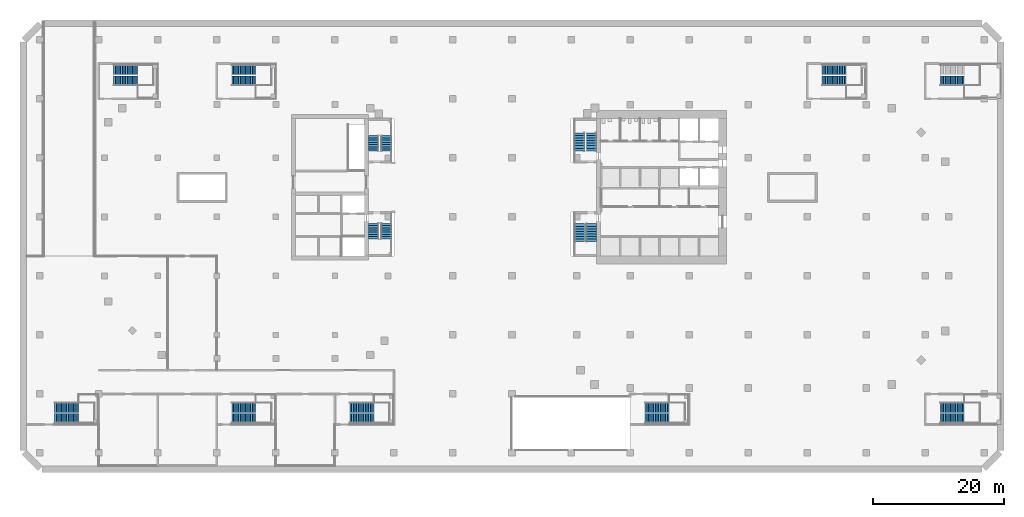
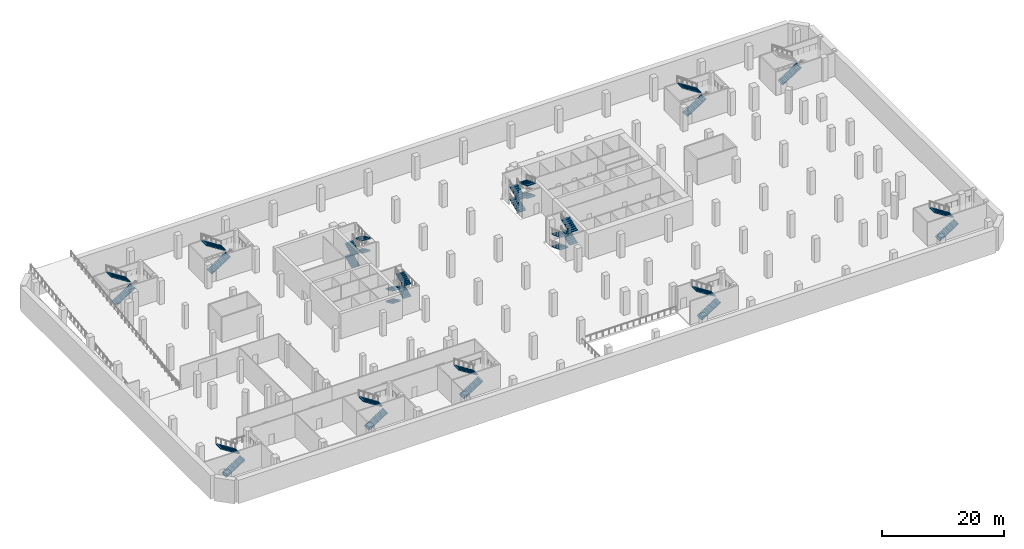
# One storey, part 11 of 19: 33 stair flights, 13 elements without a shape of their own.
"""IFC4 building model written with IfcOpenShell, lengths in metres."""

from ifc_helpers import new_model, si_unit, direction, frame, origin, place, context, subcontext, project, spatial, polyline, outline, extrude, material, type_object, element, aggregate, save


model = new_model("IFC4")

# Units and contexts
model_context = context("Model", 3, precision=1e-05, world=origin(), true_north=direction((0.0, 1.0)))
body_context = subcontext(model_context, "Body", "Model", "MODEL_VIEW")
ifc_project = project(units=[si_unit("LENGTHUNIT", "METRE"), si_unit("AREAUNIT", "SQUARE_METRE"), si_unit("VOLUMEUNIT", "CUBIC_METRE"), si_unit("PLANEANGLEUNIT", "RADIAN"), si_unit("MASSUNIT", "GRAM", prefix="KILO")], contexts=[model_context])

# Site, building, storey
site_placement = place(None, origin())
site = spatial("IfcSite", under=ifc_project, at=site_placement, CompositionType="ELEMENT")
building_placement = place(site_placement, origin())
building = spatial("IfcBuilding", under=site, at=building_placement, Name="Cinnabar Reach Civic Tower", CompositionType="ELEMENT")
storey_placement = place(building_placement, frame((0.0, 0.0, -5.0)))
storey = spatial("IfcBuildingStorey", under=building, at=storey_placement, Name="B1", CompositionType="ELEMENT", Elevation=-5.0)

# Stair, stair flights
ifc_material_1 = material(Name="Concrete C35", Category="concrete")
stair_type_1 = type_object("IfcStairType", Name="Podium exit stair 1500", PredefinedType="HALF_TURN_STAIR", material=ifc_material_1)
stair_1_placement = place(storey_placement, origin())
stair_1 = element("IfcStair", 1, at=stair_1_placement, inside=storey, type_object=stair_type_1, Name="Stair PS1", PredefinedType="HALF_TURN_STAIR")
stair_flight_type_1 = type_object("IfcStairFlightType", Name="Podium exit stair flight 1500", PredefinedType="STRAIGHT", material=ifc_material_1)
stair_flight_1_placement = place(storey_placement, frame((-78.71, -3.75, 0.0), z_axis=(0.0, 0.0, 1.0), x_axis=(1.0, 0.0, 0.0)))
stair_flight_1 = element("IfcStairFlight", 2, at=stair_flight_1_placement, type_object=stair_flight_type_1, Name="PS1 flight 1", NumberOfRisers=15, NumberOfTreads=14, PredefinedType="STRAIGHT", RiserHeight=0.166666667, TreadLength=0.26, context=body_context, shape_type="SweptSolid", body=[
    extrude(outline(polyline([(0.0, 0.0), (0.0, 0.1667), (0.26, 0.1667), (0.26, 0.3333), (0.52, 0.3333), (0.52, 0.5), (0.78, 0.5), (0.78, 0.6667), (1.04, 0.6667), (1.04, 0.8333), (1.3, 0.8333), (1.3, 1.0), (1.56, 1.0), (1.56, 1.1667), (1.82, 1.1667), (1.82, 1.3333), (2.08, 1.3333), (2.08, 1.5), (2.34, 1.5), (2.34, 1.6667), (2.6, 1.6667), (2.6, 1.8333), (2.86, 1.8333), (2.86, 2.0), (3.12, 2.0), (3.12, 2.1667), (3.38, 2.1667), (3.38, 2.3333), (3.64, 2.3333), (3.64, 2.5), (3.64, 2.1552), (0.2779, 0.0), (0.0, 0.0)])), frame((0.0, 0.75, 0.0), z_axis=(0.0, -1.0, 0.0), x_axis=(1.0, 0.0, 0.0)), (0.0, 0.0, 1.0), 1.5),
])
stair_flight_2_placement = place(storey_placement, frame((-75.07, -2.05, 2.5), z_axis=(0.0, 0.0, 1.0), x_axis=(-1.0, 0.0, 0.0)))
stair_flight_2 = element("IfcStairFlight", 3, at=stair_flight_2_placement, type_object=stair_flight_type_1, Name="PS1 flight 2", NumberOfRisers=15, NumberOfTreads=14, PredefinedType="STRAIGHT", RiserHeight=0.166666667, TreadLength=0.26, context=body_context, shape_type="SweptSolid", body=[
    extrude(outline(polyline([(0.0, 0.0), (0.0, 0.1667), (0.26, 0.1667), (0.26, 0.3333), (0.52, 0.3333), (0.52, 0.5), (0.78, 0.5), (0.78, 0.6667), (1.04, 0.6667), (1.04, 0.8333), (1.3, 0.8333), (1.3, 1.0), (1.56, 1.0), (1.56, 1.1667), (1.82, 1.1667), (1.82, 1.3333), (2.08, 1.3333), (2.08, 1.5), (2.34, 1.5), (2.34, 1.6667), (2.6, 1.6667), (2.6, 1.8333), (2.86, 1.8333), (2.86, 2.0), (3.12, 2.0), (3.12, 2.1667), (3.38, 2.1667), (3.38, 2.3333), (3.64, 2.3333), (3.64, 2.5), (3.64, 2.1552), (0.2779, 0.0), (0.0, 0.0)])), frame((0.0, 0.75, 0.0), z_axis=(0.0, -1.0, 0.0), x_axis=(1.0, 0.0, 0.0)), (0.0, 0.0, 1.0), 1.5),
])
aggregate(stair_1, [stair_flight_1, stair_flight_2])

stair_2_placement = place(storey_placement, origin())
stair_2 = element("IfcStair", 4, at=stair_2_placement, inside=storey, type_object=stair_type_1, Name="Stair PS2", PredefinedType="HALF_TURN_STAIR")
stair_flight_3_placement = place(storey_placement, frame((-69.71, 47.75, 0.0), z_axis=(0.0, 0.0, 1.0), x_axis=(1.0, 0.0, 0.0)))
stair_flight_3 = element("IfcStairFlight", 5, at=stair_flight_3_placement, type_object=stair_flight_type_1, Name="PS2 flight 1", NumberOfRisers=15, NumberOfTreads=14, PredefinedType="STRAIGHT", RiserHeight=0.166666667, TreadLength=0.26, context=body_context, shape_type="SweptSolid", body=[
    extrude(outline(polyline([(0.0, 0.0), (0.0, 0.1667), (0.26, 0.1667), (0.26, 0.3333), (0.52, 0.3333), (0.52, 0.5), (0.78, 0.5), (0.78, 0.6667), (1.04, 0.6667), (1.04, 0.8333), (1.3, 0.8333), (1.3, 1.0), (1.56, 1.0), (1.56, 1.1667), (1.82, 1.1667), (1.82, 1.3333), (2.08, 1.3333), (2.08, 1.5), (2.34, 1.5), (2.34, 1.6667), (2.6, 1.6667), (2.6, 1.8333), (2.86, 1.8333), (2.86, 2.0), (3.12, 2.0), (3.12, 2.1667), (3.38, 2.1667), (3.38, 2.3333), (3.64, 2.3333), (3.64, 2.5), (3.64, 2.1552), (0.2779, 0.0), (0.0, 0.0)])), frame((0.0, 0.75, 0.0), z_axis=(0.0, -1.0, 0.0), x_axis=(1.0, 0.0, 0.0)), (0.0, 0.0, 1.0), 1.5),
])
stair_flight_4_placement = place(storey_placement, frame((-66.07, 49.45, 2.5), z_axis=(0.0, 0.0, 1.0), x_axis=(-1.0, 0.0, 0.0)))
stair_flight_4 = element("IfcStairFlight", 6, at=stair_flight_4_placement, type_object=stair_flight_type_1, Name="PS2 flight 2", NumberOfRisers=15, NumberOfTreads=14, PredefinedType="STRAIGHT", RiserHeight=0.166666667, TreadLength=0.26, context=body_context, shape_type="SweptSolid", body=[
    extrude(outline(polyline([(0.0, 0.0), (0.0, 0.1667), (0.26, 0.1667), (0.26, 0.3333), (0.52, 0.3333), (0.52, 0.5), (0.78, 0.5), (0.78, 0.6667), (1.04, 0.6667), (1.04, 0.8333), (1.3, 0.8333), (1.3, 1.0), (1.56, 1.0), (1.56, 1.1667), (1.82, 1.1667), (1.82, 1.3333), (2.08, 1.3333), (2.08, 1.5), (2.34, 1.5), (2.34, 1.6667), (2.6, 1.6667), (2.6, 1.8333), (2.86, 1.8333), (2.86, 2.0), (3.12, 2.0), (3.12, 2.1667), (3.38, 2.1667), (3.38, 2.3333), (3.64, 2.3333), (3.64, 2.5), (3.64, 2.1552), (0.2779, 0.0), (0.0, 0.0)])), frame((0.0, 0.75, 0.0), z_axis=(0.0, -1.0, 0.0), x_axis=(1.0, 0.0, 0.0)), (0.0, 0.0, 1.0), 1.5),
])
aggregate(stair_2, [stair_flight_3, stair_flight_4])

stair_3_placement = place(storey_placement, origin())
stair_3 = element("IfcStair", 7, at=stair_3_placement, inside=storey, type_object=stair_type_1, Name="Stair PS3", PredefinedType="HALF_TURN_STAIR")
stair_flight_5_placement = place(storey_placement, frame((11.29, -3.75, 0.0), z_axis=(0.0, 0.0, 1.0), x_axis=(1.0, 0.0, 0.0)))
stair_flight_5 = element("IfcStairFlight", 8, at=stair_flight_5_placement, type_object=stair_flight_type_1, Name="PS3 flight 1", NumberOfRisers=15, NumberOfTreads=14, PredefinedType="STRAIGHT", RiserHeight=0.166666667, TreadLength=0.26, context=body_context, shape_type="SweptSolid", body=[
    extrude(outline(polyline([(0.0, 0.0), (0.0, 0.1667), (0.26, 0.1667), (0.26, 0.3333), (0.52, 0.3333), (0.52, 0.5), (0.78, 0.5), (0.78, 0.6667), (1.04, 0.6667), (1.04, 0.8333), (1.3, 0.8333), (1.3, 1.0), (1.56, 1.0), (1.56, 1.1667), (1.82, 1.1667), (1.82, 1.3333), (2.08, 1.3333), (2.08, 1.5), (2.34, 1.5), (2.34, 1.6667), (2.6, 1.6667), (2.6, 1.8333), (2.86, 1.8333), (2.86, 2.0), (3.12, 2.0), (3.12, 2.1667), (3.38, 2.1667), (3.38, 2.3333), (3.64, 2.3333), (3.64, 2.5), (3.64, 2.1552), (0.2779, 0.0), (0.0, 0.0)])), frame((0.0, 0.75, 0.0), z_axis=(0.0, -1.0, 0.0), x_axis=(1.0, 0.0, 0.0)), (0.0, 0.0, 1.0), 1.5),
])
stair_flight_6_placement = place(storey_placement, frame((14.93, -2.05, 2.5), z_axis=(0.0, 0.0, 1.0), x_axis=(-1.0, 0.0, 0.0)))
stair_flight_6 = element("IfcStairFlight", 9, at=stair_flight_6_placement, type_object=stair_flight_type_1, Name="PS3 flight 2", NumberOfRisers=15, NumberOfTreads=14, PredefinedType="STRAIGHT", RiserHeight=0.166666667, TreadLength=0.26, context=body_context, shape_type="SweptSolid", body=[
    extrude(outline(polyline([(0.0, 0.0), (0.0, 0.1667), (0.26, 0.1667), (0.26, 0.3333), (0.52, 0.3333), (0.52, 0.5), (0.78, 0.5), (0.78, 0.6667), (1.04, 0.6667), (1.04, 0.8333), (1.3, 0.8333), (1.3, 1.0), (1.56, 1.0), (1.56, 1.1667), (1.82, 1.1667), (1.82, 1.3333), (2.08, 1.3333), (2.08, 1.5), (2.34, 1.5), (2.34, 1.6667), (2.6, 1.6667), (2.6, 1.8333), (2.86, 1.8333), (2.86, 2.0), (3.12, 2.0), (3.12, 2.1667), (3.38, 2.1667), (3.38, 2.3333), (3.64, 2.3333), (3.64, 2.5), (3.64, 2.1552), (0.2779, 0.0), (0.0, 0.0)])), frame((0.0, 0.75, 0.0), z_axis=(0.0, -1.0, 0.0), x_axis=(1.0, 0.0, 0.0)), (0.0, 0.0, 1.0), 1.5),
])
aggregate(stair_3, [stair_flight_5, stair_flight_6])

stair_4_placement = place(storey_placement, origin())
stair_4 = element("IfcStair", 10, at=stair_4_placement, inside=storey, type_object=stair_type_1, Name="Stair PS4", PredefinedType="HALF_TURN_STAIR")
stair_flight_7_placement = place(storey_placement, frame((56.29, -3.75, 0.0), z_axis=(0.0, 0.0, 1.0), x_axis=(1.0, 0.0, 0.0)))
stair_flight_7 = element("IfcStairFlight", 11, at=stair_flight_7_placement, type_object=stair_flight_type_1, Name="PS4 flight 1", NumberOfRisers=15, NumberOfTreads=14, PredefinedType="STRAIGHT", RiserHeight=0.166666667, TreadLength=0.26, context=body_context, shape_type="SweptSolid", body=[
    extrude(outline(polyline([(0.0, 0.0), (0.0, 0.1667), (0.26, 0.1667), (0.26, 0.3333), (0.52, 0.3333), (0.52, 0.5), (0.78, 0.5), (0.78, 0.6667), (1.04, 0.6667), (1.04, 0.8333), (1.3, 0.8333), (1.3, 1.0), (1.56, 1.0), (1.56, 1.1667), (1.82, 1.1667), (1.82, 1.3333), (2.08, 1.3333), (2.08, 1.5), (2.34, 1.5), (2.34, 1.6667), (2.6, 1.6667), (2.6, 1.8333), (2.86, 1.8333), (2.86, 2.0), (3.12, 2.0), (3.12, 2.1667), (3.38, 2.1667), (3.38, 2.3333), (3.64, 2.3333), (3.64, 2.5), (3.64, 2.1552), (0.2779, 0.0), (0.0, 0.0)])), frame((0.0, 0.75, 0.0), z_axis=(0.0, -1.0, 0.0), x_axis=(1.0, 0.0, 0.0)), (0.0, 0.0, 1.0), 1.5),
])
stair_flight_8_placement = place(storey_placement, frame((59.93, -2.05, 2.5), z_axis=(0.0, 0.0, 1.0), x_axis=(-1.0, 0.0, 0.0)))
stair_flight_8 = element("IfcStairFlight", 12, at=stair_flight_8_placement, type_object=stair_flight_type_1, Name="PS4 flight 2", NumberOfRisers=15, NumberOfTreads=14, PredefinedType="STRAIGHT", RiserHeight=0.166666667, TreadLength=0.26, context=body_context, shape_type="SweptSolid", body=[
    extrude(outline(polyline([(0.0, 0.0), (0.0, 0.1667), (0.26, 0.1667), (0.26, 0.3333), (0.52, 0.3333), (0.52, 0.5), (0.78, 0.5), (0.78, 0.6667), (1.04, 0.6667), (1.04, 0.8333), (1.3, 0.8333), (1.3, 1.0), (1.56, 1.0), (1.56, 1.1667), (1.82, 1.1667), (1.82, 1.3333), (2.08, 1.3333), (2.08, 1.5), (2.34, 1.5), (2.34, 1.6667), (2.6, 1.6667), (2.6, 1.8333), (2.86, 1.8333), (2.86, 2.0), (3.12, 2.0), (3.12, 2.1667), (3.38, 2.1667), (3.38, 2.3333), (3.64, 2.3333), (3.64, 2.5), (3.64, 2.1552), (0.2779, 0.0), (0.0, 0.0)])), frame((0.0, 0.75, 0.0), z_axis=(0.0, -1.0, 0.0), x_axis=(1.0, 0.0, 0.0)), (0.0, 0.0, 1.0), 1.5),
])
aggregate(stair_4, [stair_flight_7, stair_flight_8])

# Stair, stair flight
stair_5_placement = place(storey_placement, origin())
stair_5 = element("IfcStair", 13, at=stair_5_placement, inside=storey, type_object=stair_type_1, Name="Stair PS5", PredefinedType="HALF_TURN_STAIR")
stair_flight_9_placement = place(storey_placement, frame((56.29, 47.75, 0.0), z_axis=(0.0, 0.0, 1.0), x_axis=(1.0, 0.0, 0.0)))
stair_flight_9 = element("IfcStairFlight", 14, at=stair_flight_9_placement, type_object=stair_flight_type_1, Name="PS5 flight 1", NumberOfRisers=15, NumberOfTreads=14, PredefinedType="STRAIGHT", RiserHeight=0.166666667, TreadLength=0.26, context=body_context, shape_type="SweptSolid", body=[
    extrude(outline(polyline([(0.0, 0.0), (0.0, 0.1667), (0.26, 0.1667), (0.26, 0.3333), (0.52, 0.3333), (0.52, 0.5), (0.78, 0.5), (0.78, 0.6667), (1.04, 0.6667), (1.04, 0.8333), (1.3, 0.8333), (1.3, 1.0), (1.56, 1.0), (1.56, 1.1667), (1.82, 1.1667), (1.82, 1.3333), (2.08, 1.3333), (2.08, 1.5), (2.34, 1.5), (2.34, 1.6667), (2.6, 1.6667), (2.6, 1.8333), (2.86, 1.8333), (2.86, 2.0), (3.12, 2.0), (3.12, 2.1667), (3.38, 2.1667), (3.38, 2.3333), (3.64, 2.3333), (3.64, 2.5), (3.64, 2.1552), (0.2779, 0.0), (0.0, 0.0)])), frame((0.0, 0.75, 0.0), z_axis=(0.0, -1.0, 0.0), x_axis=(1.0, 0.0, 0.0)), (0.0, 0.0, 1.0), 1.5),
])
aggregate(stair_5, [stair_flight_9])

# Stair, stair flights
stair_6_placement = place(storey_placement, origin())
stair_6 = element("IfcStair", 15, at=stair_6_placement, inside=storey, type_object=stair_type_1, Name="Stair PS6", PredefinedType="HALF_TURN_STAIR")
stair_flight_10_placement = place(storey_placement, frame((38.29, 47.75, 0.0), z_axis=(0.0, 0.0, 1.0), x_axis=(1.0, 0.0, 0.0)))
stair_flight_10 = element("IfcStairFlight", 16, at=stair_flight_10_placement, type_object=stair_flight_type_1, Name="PS6 flight 1", NumberOfRisers=15, NumberOfTreads=14, PredefinedType="STRAIGHT", RiserHeight=0.166666667, TreadLength=0.26, context=body_context, shape_type="SweptSolid", body=[
    extrude(outline(polyline([(0.0, 0.0), (0.0, 0.1667), (0.26, 0.1667), (0.26, 0.3333), (0.52, 0.3333), (0.52, 0.5), (0.78, 0.5), (0.78, 0.6667), (1.04, 0.6667), (1.04, 0.8333), (1.3, 0.8333), (1.3, 1.0), (1.56, 1.0), (1.56, 1.1667), (1.82, 1.1667), (1.82, 1.3333), (2.08, 1.3333), (2.08, 1.5), (2.34, 1.5), (2.34, 1.6667), (2.6, 1.6667), (2.6, 1.8333), (2.86, 1.8333), (2.86, 2.0), (3.12, 2.0), (3.12, 2.1667), (3.38, 2.1667), (3.38, 2.3333), (3.64, 2.3333), (3.64, 2.5), (3.64, 2.1552), (0.2779, 0.0), (0.0, 0.0)])), frame((0.0, 0.75, 0.0), z_axis=(0.0, -1.0, 0.0), x_axis=(1.0, 0.0, 0.0)), (0.0, 0.0, 1.0), 1.5),
])
stair_flight_11_placement = place(storey_placement, frame((41.93, 49.45, 2.5), z_axis=(0.0, 0.0, 1.0), x_axis=(-1.0, 0.0, 0.0)))
stair_flight_11 = element("IfcStairFlight", 17, at=stair_flight_11_placement, type_object=stair_flight_type_1, Name="PS6 flight 2", NumberOfRisers=15, NumberOfTreads=14, PredefinedType="STRAIGHT", RiserHeight=0.166666667, TreadLength=0.26, context=body_context, shape_type="SweptSolid", body=[
    extrude(outline(polyline([(0.0, 0.0), (0.0, 0.1667), (0.26, 0.1667), (0.26, 0.3333), (0.52, 0.3333), (0.52, 0.5), (0.78, 0.5), (0.78, 0.6667), (1.04, 0.6667), (1.04, 0.8333), (1.3, 0.8333), (1.3, 1.0), (1.56, 1.0), (1.56, 1.1667), (1.82, 1.1667), (1.82, 1.3333), (2.08, 1.3333), (2.08, 1.5), (2.34, 1.5), (2.34, 1.6667), (2.6, 1.6667), (2.6, 1.8333), (2.86, 1.8333), (2.86, 2.0), (3.12, 2.0), (3.12, 2.1667), (3.38, 2.1667), (3.38, 2.3333), (3.64, 2.3333), (3.64, 2.5), (3.64, 2.1552), (0.2779, 0.0), (0.0, 0.0)])), frame((0.0, 0.75, 0.0), z_axis=(0.0, -1.0, 0.0), x_axis=(1.0, 0.0, 0.0)), (0.0, 0.0, 1.0), 1.5),
])
aggregate(stair_6, [stair_flight_10, stair_flight_11])

stair_7_placement = place(storey_placement, origin())
stair_7 = element("IfcStair", 18, at=stair_7_placement, inside=storey, type_object=stair_type_1, Name="Stair PS7", PredefinedType="HALF_TURN_STAIR")
stair_flight_12_placement = place(storey_placement, frame((-51.71, 47.75, 0.0), z_axis=(0.0, 0.0, 1.0), x_axis=(1.0, 0.0, 0.0)))
stair_flight_12 = element("IfcStairFlight", 19, at=stair_flight_12_placement, type_object=stair_flight_type_1, Name="PS7 flight 1", NumberOfRisers=15, NumberOfTreads=14, PredefinedType="STRAIGHT", RiserHeight=0.166666667, TreadLength=0.26, context=body_context, shape_type="SweptSolid", body=[
    extrude(outline(polyline([(0.0, 0.0), (0.0, 0.1667), (0.26, 0.1667), (0.26, 0.3333), (0.52, 0.3333), (0.52, 0.5), (0.78, 0.5), (0.78, 0.6667), (1.04, 0.6667), (1.04, 0.8333), (1.3, 0.8333), (1.3, 1.0), (1.56, 1.0), (1.56, 1.1667), (1.82, 1.1667), (1.82, 1.3333), (2.08, 1.3333), (2.08, 1.5), (2.34, 1.5), (2.34, 1.6667), (2.6, 1.6667), (2.6, 1.8333), (2.86, 1.8333), (2.86, 2.0), (3.12, 2.0), (3.12, 2.1667), (3.38, 2.1667), (3.38, 2.3333), (3.64, 2.3333), (3.64, 2.5), (3.64, 2.1552), (0.2779, 0.0), (0.0, 0.0)])), frame((0.0, 0.75, 0.0), z_axis=(0.0, -1.0, 0.0), x_axis=(1.0, 0.0, 0.0)), (0.0, 0.0, 1.0), 1.5),
])
stair_flight_13_placement = place(storey_placement, frame((-48.07, 49.45, 2.5), z_axis=(0.0, 0.0, 1.0), x_axis=(-1.0, 0.0, 0.0)))
stair_flight_13 = element("IfcStairFlight", 20, at=stair_flight_13_placement, type_object=stair_flight_type_1, Name="PS7 flight 2", NumberOfRisers=15, NumberOfTreads=14, PredefinedType="STRAIGHT", RiserHeight=0.166666667, TreadLength=0.26, context=body_context, shape_type="SweptSolid", body=[
    extrude(outline(polyline([(0.0, 0.0), (0.0, 0.1667), (0.26, 0.1667), (0.26, 0.3333), (0.52, 0.3333), (0.52, 0.5), (0.78, 0.5), (0.78, 0.6667), (1.04, 0.6667), (1.04, 0.8333), (1.3, 0.8333), (1.3, 1.0), (1.56, 1.0), (1.56, 1.1667), (1.82, 1.1667), (1.82, 1.3333), (2.08, 1.3333), (2.08, 1.5), (2.34, 1.5), (2.34, 1.6667), (2.6, 1.6667), (2.6, 1.8333), (2.86, 1.8333), (2.86, 2.0), (3.12, 2.0), (3.12, 2.1667), (3.38, 2.1667), (3.38, 2.3333), (3.64, 2.3333), (3.64, 2.5), (3.64, 2.1552), (0.2779, 0.0), (0.0, 0.0)])), frame((0.0, 0.75, 0.0), z_axis=(0.0, -1.0, 0.0), x_axis=(1.0, 0.0, 0.0)), (0.0, 0.0, 1.0), 1.5),
])
aggregate(stair_7, [stair_flight_12, stair_flight_13])

stair_8_placement = place(storey_placement, origin())
stair_8 = element("IfcStair", 21, at=stair_8_placement, inside=storey, type_object=stair_type_1, Name="Stair PS8", PredefinedType="HALF_TURN_STAIR")
stair_flight_14_placement = place(storey_placement, frame((-51.71, -3.75, 0.0), z_axis=(0.0, 0.0, 1.0), x_axis=(1.0, 0.0, 0.0)))
stair_flight_14 = element("IfcStairFlight", 22, at=stair_flight_14_placement, type_object=stair_flight_type_1, Name="PS8 flight 1", NumberOfRisers=15, NumberOfTreads=14, PredefinedType="STRAIGHT", RiserHeight=0.166666667, TreadLength=0.26, context=body_context, shape_type="SweptSolid", body=[
    extrude(outline(polyline([(0.0, 0.0), (0.0, 0.1667), (0.26, 0.1667), (0.26, 0.3333), (0.52, 0.3333), (0.52, 0.5), (0.78, 0.5), (0.78, 0.6667), (1.04, 0.6667), (1.04, 0.8333), (1.3, 0.8333), (1.3, 1.0), (1.56, 1.0), (1.56, 1.1667), (1.82, 1.1667), (1.82, 1.3333), (2.08, 1.3333), (2.08, 1.5), (2.34, 1.5), (2.34, 1.6667), (2.6, 1.6667), (2.6, 1.8333), (2.86, 1.8333), (2.86, 2.0), (3.12, 2.0), (3.12, 2.1667), (3.38, 2.1667), (3.38, 2.3333), (3.64, 2.3333), (3.64, 2.5), (3.64, 2.1552), (0.2779, 0.0), (0.0, 0.0)])), frame((0.0, 0.75, 0.0), z_axis=(0.0, -1.0, 0.0), x_axis=(1.0, 0.0, 0.0)), (0.0, 0.0, 1.0), 1.5),
])
stair_flight_15_placement = place(storey_placement, frame((-48.07, -2.05, 2.5), z_axis=(0.0, 0.0, 1.0), x_axis=(-1.0, 0.0, 0.0)))
stair_flight_15 = element("IfcStairFlight", 23, at=stair_flight_15_placement, type_object=stair_flight_type_1, Name="PS8 flight 2", NumberOfRisers=15, NumberOfTreads=14, PredefinedType="STRAIGHT", RiserHeight=0.166666667, TreadLength=0.26, context=body_context, shape_type="SweptSolid", body=[
    extrude(outline(polyline([(0.0, 0.0), (0.0, 0.1667), (0.26, 0.1667), (0.26, 0.3333), (0.52, 0.3333), (0.52, 0.5), (0.78, 0.5), (0.78, 0.6667), (1.04, 0.6667), (1.04, 0.8333), (1.3, 0.8333), (1.3, 1.0), (1.56, 1.0), (1.56, 1.1667), (1.82, 1.1667), (1.82, 1.3333), (2.08, 1.3333), (2.08, 1.5), (2.34, 1.5), (2.34, 1.6667), (2.6, 1.6667), (2.6, 1.8333), (2.86, 1.8333), (2.86, 2.0), (3.12, 2.0), (3.12, 2.1667), (3.38, 2.1667), (3.38, 2.3333), (3.64, 2.3333), (3.64, 2.5), (3.64, 2.1552), (0.2779, 0.0), (0.0, 0.0)])), frame((0.0, 0.75, 0.0), z_axis=(0.0, -1.0, 0.0), x_axis=(1.0, 0.0, 0.0)), (0.0, 0.0, 1.0), 1.5),
])
aggregate(stair_8, [stair_flight_14, stair_flight_15])

stair_9_placement = place(storey_placement, origin())
stair_9 = element("IfcStair", 24, at=stair_9_placement, inside=storey, type_object=stair_type_1, Name="Stair PS9", PredefinedType="HALF_TURN_STAIR")
stair_flight_16_placement = place(storey_placement, frame((-33.71, -3.75, 0.0), z_axis=(0.0, 0.0, 1.0), x_axis=(1.0, 0.0, 0.0)))
stair_flight_16 = element("IfcStairFlight", 25, at=stair_flight_16_placement, type_object=stair_flight_type_1, Name="PS9 flight 1", NumberOfRisers=15, NumberOfTreads=14, PredefinedType="STRAIGHT", RiserHeight=0.166666667, TreadLength=0.26, context=body_context, shape_type="SweptSolid", body=[
    extrude(outline(polyline([(0.0, 0.0), (0.0, 0.1667), (0.26, 0.1667), (0.26, 0.3333), (0.52, 0.3333), (0.52, 0.5), (0.78, 0.5), (0.78, 0.6667), (1.04, 0.6667), (1.04, 0.8333), (1.3, 0.8333), (1.3, 1.0), (1.56, 1.0), (1.56, 1.1667), (1.82, 1.1667), (1.82, 1.3333), (2.08, 1.3333), (2.08, 1.5), (2.34, 1.5), (2.34, 1.6667), (2.6, 1.6667), (2.6, 1.8333), (2.86, 1.8333), (2.86, 2.0), (3.12, 2.0), (3.12, 2.1667), (3.38, 2.1667), (3.38, 2.3333), (3.64, 2.3333), (3.64, 2.5), (3.64, 2.1552), (0.2779, 0.0), (0.0, 0.0)])), frame((0.0, 0.75, 0.0), z_axis=(0.0, -1.0, 0.0), x_axis=(1.0, 0.0, 0.0)), (0.0, 0.0, 1.0), 1.5),
])
stair_flight_17_placement = place(storey_placement, frame((-30.07, -2.05, 2.5), z_axis=(0.0, 0.0, 1.0), x_axis=(-1.0, 0.0, 0.0)))
stair_flight_17 = element("IfcStairFlight", 26, at=stair_flight_17_placement, type_object=stair_flight_type_1, Name="PS9 flight 2", NumberOfRisers=15, NumberOfTreads=14, PredefinedType="STRAIGHT", RiserHeight=0.166666667, TreadLength=0.26, context=body_context, shape_type="SweptSolid", body=[
    extrude(outline(polyline([(0.0, 0.0), (0.0, 0.1667), (0.26, 0.1667), (0.26, 0.3333), (0.52, 0.3333), (0.52, 0.5), (0.78, 0.5), (0.78, 0.6667), (1.04, 0.6667), (1.04, 0.8333), (1.3, 0.8333), (1.3, 1.0), (1.56, 1.0), (1.56, 1.1667), (1.82, 1.1667), (1.82, 1.3333), (2.08, 1.3333), (2.08, 1.5), (2.34, 1.5), (2.34, 1.6667), (2.6, 1.6667), (2.6, 1.8333), (2.86, 1.8333), (2.86, 2.0), (3.12, 2.0), (3.12, 2.1667), (3.38, 2.1667), (3.38, 2.3333), (3.64, 2.3333), (3.64, 2.5), (3.64, 2.1552), (0.2779, 0.0), (0.0, 0.0)])), frame((0.0, 0.75, 0.0), z_axis=(0.0, -1.0, 0.0), x_axis=(1.0, 0.0, 0.0)), (0.0, 0.0, 1.0), 1.5),
])
aggregate(stair_9, [stair_flight_16, stair_flight_17])

ifc_material_2 = material(Name="Concrete C40/50", Category="concrete")
stair_type_2 = type_object("IfcStairType", Name="T1 Exit stair, double return", PredefinedType="DOUBLE_RETURN_STAIR", material=ifc_material_2)
stair_10_placement = place(storey_placement, origin())
stair_10 = element("IfcStair", 27, at=stair_10_placement, inside=storey, type_object=stair_type_2, Name="Stair T1-S1", PredefinedType="DOUBLE_RETURN_STAIR")
stair_flight_type_2 = type_object("IfcStairFlightType", Name="T1 Stair flight, concrete", PredefinedType="STRAIGHT", material=ifc_material_2)
stair_flight_18_placement = place(storey_placement, frame((1.3125, 25.95, 0.0), z_axis=(0.0, 0.0, 1.0), x_axis=(0.0, -1.0, 0.0)))
stair_flight_18 = element("IfcStairFlight", 28, at=stair_flight_18_placement, type_object=stair_flight_type_2, Name="T1-S1 flight 1", NumberOfRisers=8, NumberOfTreads=7, PredefinedType="STRAIGHT", RiserHeight=0.15625, TreadLength=0.392142857, context=body_context, shape_type="SweptSolid", body=[
    extrude(outline(polyline([(0.0, 0.0), (0.0, 0.1562), (0.3921, 0.1562), (0.3921, 0.3125), (0.7843, 0.3125), (0.7843, 0.4688), (1.1764, 0.4688), (1.1764, 0.625), (1.5686, 0.625), (1.5686, 0.7812), (1.9607, 0.7812), (1.9607, 0.9375), (2.3529, 0.9375), (2.3529, 1.0938), (2.745, 1.0938), (2.745, 1.25), (2.745, 0.9323), (0.4052, 0.0), (0.0, 0.0)])), frame((0.0, 0.7625, 0.0), z_axis=(0.0, -1.0, 0.0), x_axis=(1.0, 0.0, 0.0)), (0.0, 0.0, 1.0), 1.525),
])
stair_flight_19_placement = place(storey_placement, frame((3.0875, 23.205, 1.25), z_axis=(0.0, 0.0, 1.0), x_axis=(0.0, 1.0, 0.0)))
stair_flight_19 = element("IfcStairFlight", 29, at=stair_flight_19_placement, type_object=stair_flight_type_2, Name="T1-S1 flight 2", NumberOfRisers=8, NumberOfTreads=7, PredefinedType="STRAIGHT", RiserHeight=0.15625, TreadLength=0.392142857, context=body_context, shape_type="SweptSolid", body=[
    extrude(outline(polyline([(0.0, 0.0), (0.0, 0.1562), (0.3921, 0.1562), (0.3921, 0.3125), (0.7843, 0.3125), (0.7843, 0.4688), (1.1764, 0.4688), (1.1764, 0.625), (1.5686, 0.625), (1.5686, 0.7812), (1.9607, 0.7812), (1.9607, 0.9375), (2.3529, 0.9375), (2.3529, 1.0938), (2.745, 1.0938), (2.745, 1.25), (2.745, 0.9323), (0.4052, 0.0), (0.0, 0.0)])), frame((0.0, 0.7625, 0.0), z_axis=(0.0, -1.0, 0.0), x_axis=(1.0, 0.0, 0.0)), (0.0, 0.0, 1.0), 1.525),
])
stair_flight_20_placement = place(storey_placement, frame((1.3125, 25.95, 2.5), z_axis=(0.0, 0.0, 1.0), x_axis=(0.0, -1.0, 0.0)))
stair_flight_20 = element("IfcStairFlight", 30, at=stair_flight_20_placement, type_object=stair_flight_type_2, Name="T1-S1 flight 3", NumberOfRisers=8, NumberOfTreads=7, PredefinedType="STRAIGHT", RiserHeight=0.15625, TreadLength=0.392142857, context=body_context, shape_type="SweptSolid", body=[
    extrude(outline(polyline([(0.0, 0.0), (0.0, 0.1562), (0.3921, 0.1562), (0.3921, 0.3125), (0.7843, 0.3125), (0.7843, 0.4688), (1.1764, 0.4688), (1.1764, 0.625), (1.5686, 0.625), (1.5686, 0.7812), (1.9607, 0.7812), (1.9607, 0.9375), (2.3529, 0.9375), (2.3529, 1.0938), (2.745, 1.0938), (2.745, 1.25), (2.745, 0.9323), (0.4052, 0.0), (0.0, 0.0)])), frame((0.0, 0.7625, 0.0), z_axis=(0.0, -1.0, 0.0), x_axis=(1.0, 0.0, 0.0)), (0.0, 0.0, 1.0), 1.525),
])
stair_flight_21_placement = place(storey_placement, frame((3.0875, 23.205, 3.75), z_axis=(0.0, 0.0, 1.0), x_axis=(0.0, 1.0, 0.0)))
stair_flight_21 = element("IfcStairFlight", 31, at=stair_flight_21_placement, type_object=stair_flight_type_2, Name="T1-S1 flight 4", NumberOfRisers=8, NumberOfTreads=7, PredefinedType="STRAIGHT", RiserHeight=0.15625, TreadLength=0.392142857, context=body_context, shape_type="SweptSolid", body=[
    extrude(outline(polyline([(0.0, 0.0), (0.0, 0.1562), (0.3921, 0.1562), (0.3921, 0.3125), (0.7843, 0.3125), (0.7843, 0.4688), (1.1764, 0.4688), (1.1764, 0.625), (1.5686, 0.625), (1.5686, 0.7812), (1.9607, 0.7812), (1.9607, 0.9375), (2.3529, 0.9375), (2.3529, 1.0938), (2.745, 1.0938), (2.745, 1.25), (2.745, 0.9323), (0.4052, 0.0), (0.0, 0.0)])), frame((0.0, 0.7625, 0.0), z_axis=(0.0, -1.0, 0.0), x_axis=(1.0, 0.0, 0.0)), (0.0, 0.0, 1.0), 1.525),
])
aggregate(stair_10, [stair_flight_18, stair_flight_19, stair_flight_20, stair_flight_21])

stair_11_placement = place(storey_placement, origin())
stair_11 = element("IfcStair", 32, at=stair_11_placement, inside=storey, type_object=stair_type_2, Name="Stair T1-S2", PredefinedType="DOUBLE_RETURN_STAIR")
stair_flight_22_placement = place(storey_placement, frame((1.3125, 37.05, 0.0), z_axis=(0.0, 0.0, 1.0), x_axis=(0.0, 1.0, 0.0)))
stair_flight_22 = element("IfcStairFlight", 33, at=stair_flight_22_placement, type_object=stair_flight_type_2, Name="T1-S2 flight 1", NumberOfRisers=8, NumberOfTreads=7, PredefinedType="STRAIGHT", RiserHeight=0.15625, TreadLength=0.392142857, context=body_context, shape_type="SweptSolid", body=[
    extrude(outline(polyline([(0.0, 0.0), (0.0, 0.1562), (0.3921, 0.1562), (0.3921, 0.3125), (0.7843, 0.3125), (0.7843, 0.4688), (1.1764, 0.4688), (1.1764, 0.625), (1.5686, 0.625), (1.5686, 0.7812), (1.9607, 0.7812), (1.9607, 0.9375), (2.3529, 0.9375), (2.3529, 1.0938), (2.745, 1.0938), (2.745, 1.25), (2.745, 0.9323), (0.4052, 0.0), (0.0, 0.0)])), frame((0.0, 0.7625, 0.0), z_axis=(0.0, -1.0, 0.0), x_axis=(1.0, 0.0, 0.0)), (0.0, 0.0, 1.0), 1.525),
])
stair_flight_23_placement = place(storey_placement, frame((3.0875, 39.795, 1.25), z_axis=(0.0, 0.0, 1.0), x_axis=(0.0, -1.0, 0.0)))
stair_flight_23 = element("IfcStairFlight", 34, at=stair_flight_23_placement, type_object=stair_flight_type_2, Name="T1-S2 flight 2", NumberOfRisers=8, NumberOfTreads=7, PredefinedType="STRAIGHT", RiserHeight=0.15625, TreadLength=0.392142857, context=body_context, shape_type="SweptSolid", body=[
    extrude(outline(polyline([(0.0, 0.0), (0.0, 0.1562), (0.3921, 0.1562), (0.3921, 0.3125), (0.7843, 0.3125), (0.7843, 0.4688), (1.1764, 0.4688), (1.1764, 0.625), (1.5686, 0.625), (1.5686, 0.7812), (1.9607, 0.7812), (1.9607, 0.9375), (2.3529, 0.9375), (2.3529, 1.0938), (2.745, 1.0938), (2.745, 1.25), (2.745, 0.9323), (0.4052, 0.0), (0.0, 0.0)])), frame((0.0, 0.7625, 0.0), z_axis=(0.0, -1.0, 0.0), x_axis=(1.0, 0.0, 0.0)), (0.0, 0.0, 1.0), 1.525),
])
stair_flight_24_placement = place(storey_placement, frame((1.3125, 37.05, 2.5), z_axis=(0.0, 0.0, 1.0), x_axis=(0.0, 1.0, 0.0)))
stair_flight_24 = element("IfcStairFlight", 35, at=stair_flight_24_placement, type_object=stair_flight_type_2, Name="T1-S2 flight 3", NumberOfRisers=8, NumberOfTreads=7, PredefinedType="STRAIGHT", RiserHeight=0.15625, TreadLength=0.392142857, context=body_context, shape_type="SweptSolid", body=[
    extrude(outline(polyline([(0.0, 0.0), (0.0, 0.1562), (0.3921, 0.1562), (0.3921, 0.3125), (0.7843, 0.3125), (0.7843, 0.4688), (1.1764, 0.4688), (1.1764, 0.625), (1.5686, 0.625), (1.5686, 0.7812), (1.9607, 0.7812), (1.9607, 0.9375), (2.3529, 0.9375), (2.3529, 1.0938), (2.745, 1.0938), (2.745, 1.25), (2.745, 0.9323), (0.4052, 0.0), (0.0, 0.0)])), frame((0.0, 0.7625, 0.0), z_axis=(0.0, -1.0, 0.0), x_axis=(1.0, 0.0, 0.0)), (0.0, 0.0, 1.0), 1.525),
])
stair_flight_25_placement = place(storey_placement, frame((3.0875, 39.795, 3.75), z_axis=(0.0, 0.0, 1.0), x_axis=(0.0, -1.0, 0.0)))
stair_flight_25 = element("IfcStairFlight", 36, at=stair_flight_25_placement, type_object=stair_flight_type_2, Name="T1-S2 flight 4", NumberOfRisers=8, NumberOfTreads=7, PredefinedType="STRAIGHT", RiserHeight=0.15625, TreadLength=0.392142857, context=body_context, shape_type="SweptSolid", body=[
    extrude(outline(polyline([(0.0, 0.0), (0.0, 0.1562), (0.3921, 0.1562), (0.3921, 0.3125), (0.7843, 0.3125), (0.7843, 0.4688), (1.1764, 0.4688), (1.1764, 0.625), (1.5686, 0.625), (1.5686, 0.7812), (1.9607, 0.7812), (1.9607, 0.9375), (2.3529, 0.9375), (2.3529, 1.0938), (2.745, 1.0938), (2.745, 1.25), (2.745, 0.9323), (0.4052, 0.0), (0.0, 0.0)])), frame((0.0, 0.7625, 0.0), z_axis=(0.0, -1.0, 0.0), x_axis=(1.0, 0.0, 0.0)), (0.0, 0.0, 1.0), 1.525),
])
aggregate(stair_11, [stair_flight_22, stair_flight_23, stair_flight_24, stair_flight_25])

ifc_material_3 = material(Name="Concrete C40", Category="concrete")
stair_type_3 = type_object("IfcStairType", Name="T2 Exit stair 1500", PredefinedType="HALF_TURN_STAIR", material=ifc_material_3)
stair_12_placement = place(storey_placement, origin())
stair_12 = element("IfcStair", 37, at=stair_12_placement, inside=storey, type_object=stair_type_3, Name="Exit stair 1", PredefinedType="HALF_TURN_STAIR")
stair_flight_type_3 = type_object("IfcStairFlightType", Name="T2 Stair flight 1500", PredefinedType="STRAIGHT", material=ifc_material_3)
stair_flight_26_placement = place(storey_placement, frame((-30.15, 26.0, 0.0), z_axis=(0.0, 0.0, 1.0), x_axis=(0.0, -1.0, 0.0)))
stair_flight_26 = element("IfcStairFlight", 38, at=stair_flight_26_placement, type_object=stair_flight_type_3, Name="ST1 flight 1", NumberOfRisers=8, NumberOfTreads=7, PredefinedType="STRAIGHT", RiserHeight=0.15625, TreadLength=0.3375, context=body_context, shape_type="SweptSolid", body=[
    extrude(outline(polyline([(0.0, 0.0), (0.0, 0.1562), (0.3375, 0.1562), (0.3375, 0.3125), (0.675, 0.3125), (0.675, 0.4688), (1.0125, 0.4688), (1.0125, 0.625), (1.35, 0.625), (1.35, 0.7812), (1.6875, 0.7812), (1.6875, 0.9375), (2.025, 0.9375), (2.025, 1.0938), (2.3625, 1.0938), (2.3625, 1.25), (2.3625, 0.9285), (0.357, 0.0), (0.0, 0.0)])), frame((0.0, 0.75, 0.0), z_axis=(0.0, -1.0, 0.0), x_axis=(1.0, 0.0, 0.0)), (0.0, 0.0, 1.0), 1.5),
])
stair_flight_27_placement = place(storey_placement, frame((-28.15, 23.6375, 1.25), z_axis=(0.0, 0.0, 1.0), x_axis=(0.0, 1.0, 0.0)))
stair_flight_27 = element("IfcStairFlight", 39, at=stair_flight_27_placement, type_object=stair_flight_type_3, Name="ST1 flight 2", NumberOfRisers=8, NumberOfTreads=7, PredefinedType="STRAIGHT", RiserHeight=0.15625, TreadLength=0.3375, context=body_context, shape_type="SweptSolid", body=[
    extrude(outline(polyline([(0.0, 0.0), (0.0, 0.1562), (0.3375, 0.1562), (0.3375, 0.3125), (0.675, 0.3125), (0.675, 0.4688), (1.0125, 0.4688), (1.0125, 0.625), (1.35, 0.625), (1.35, 0.7812), (1.6875, 0.7812), (1.6875, 0.9375), (2.025, 0.9375), (2.025, 1.0938), (2.3625, 1.0938), (2.3625, 1.25), (2.3625, 0.9285), (0.357, 0.0), (0.0, 0.0)])), frame((0.0, 0.75, 0.0), z_axis=(0.0, -1.0, 0.0), x_axis=(1.0, 0.0, 0.0)), (0.0, 0.0, 1.0), 1.5),
])
stair_flight_28_placement = place(storey_placement, frame((-30.15, 26.0, 2.5), z_axis=(0.0, 0.0, 1.0), x_axis=(0.0, -1.0, 0.0)))
stair_flight_28 = element("IfcStairFlight", 40, at=stair_flight_28_placement, type_object=stair_flight_type_3, Name="ST1 flight 3", NumberOfRisers=8, NumberOfTreads=7, PredefinedType="STRAIGHT", RiserHeight=0.15625, TreadLength=0.3375, context=body_context, shape_type="SweptSolid", body=[
    extrude(outline(polyline([(0.0, 0.0), (0.0, 0.1562), (0.3375, 0.1562), (0.3375, 0.3125), (0.675, 0.3125), (0.675, 0.4688), (1.0125, 0.4688), (1.0125, 0.625), (1.35, 0.625), (1.35, 0.7812), (1.6875, 0.7812), (1.6875, 0.9375), (2.025, 0.9375), (2.025, 1.0938), (2.3625, 1.0938), (2.3625, 1.25), (2.3625, 0.9285), (0.357, 0.0), (0.0, 0.0)])), frame((0.0, 0.75, 0.0), z_axis=(0.0, -1.0, 0.0), x_axis=(1.0, 0.0, 0.0)), (0.0, 0.0, 1.0), 1.5),
])
stair_flight_29_placement = place(storey_placement, frame((-28.15, 23.6375, 3.75), z_axis=(0.0, 0.0, 1.0), x_axis=(0.0, 1.0, 0.0)))
stair_flight_29 = element("IfcStairFlight", 41, at=stair_flight_29_placement, type_object=stair_flight_type_3, Name="ST1 flight 4", NumberOfRisers=8, NumberOfTreads=7, PredefinedType="STRAIGHT", RiserHeight=0.15625, TreadLength=0.3375, context=body_context, shape_type="SweptSolid", body=[
    extrude(outline(polyline([(0.0, 0.0), (0.0, 0.1562), (0.3375, 0.1562), (0.3375, 0.3125), (0.675, 0.3125), (0.675, 0.4688), (1.0125, 0.4688), (1.0125, 0.625), (1.35, 0.625), (1.35, 0.7812), (1.6875, 0.7812), (1.6875, 0.9375), (2.025, 0.9375), (2.025, 1.0938), (2.3625, 1.0938), (2.3625, 1.25), (2.3625, 0.9285), (0.357, 0.0), (0.0, 0.0)])), frame((0.0, 0.75, 0.0), z_axis=(0.0, -1.0, 0.0), x_axis=(1.0, 0.0, 0.0)), (0.0, 0.0, 1.0), 1.5),
])
aggregate(stair_12, [stair_flight_26, stair_flight_27, stair_flight_28, stair_flight_29])

stair_13_placement = place(storey_placement, origin())
stair_13 = element("IfcStair", 42, at=stair_13_placement, inside=storey, type_object=stair_type_3, Name="Exit stair 2", PredefinedType="HALF_TURN_STAIR")
stair_flight_30_placement = place(storey_placement, frame((-30.15, 37.0, 0.0), z_axis=(0.0, 0.0, 1.0), x_axis=(0.0, 1.0, 0.0)))
stair_flight_30 = element("IfcStairFlight", 43, at=stair_flight_30_placement, type_object=stair_flight_type_3, Name="ST2 flight 1", NumberOfRisers=8, NumberOfTreads=7, PredefinedType="STRAIGHT", RiserHeight=0.15625, TreadLength=0.3375, context=body_context, shape_type="SweptSolid", body=[
    extrude(outline(polyline([(0.0, 0.0), (0.0, 0.1562), (0.3375, 0.1562), (0.3375, 0.3125), (0.675, 0.3125), (0.675, 0.4688), (1.0125, 0.4688), (1.0125, 0.625), (1.35, 0.625), (1.35, 0.7812), (1.6875, 0.7812), (1.6875, 0.9375), (2.025, 0.9375), (2.025, 1.0938), (2.3625, 1.0938), (2.3625, 1.25), (2.3625, 0.9285), (0.357, 0.0), (0.0, 0.0)])), frame((0.0, 0.75, 0.0), z_axis=(0.0, -1.0, 0.0), x_axis=(1.0, 0.0, 0.0)), (0.0, 0.0, 1.0), 1.5),
])
stair_flight_31_placement = place(storey_placement, frame((-28.15, 39.3625, 1.25), z_axis=(0.0, 0.0, 1.0), x_axis=(0.0, -1.0, 0.0)))
stair_flight_31 = element("IfcStairFlight", 44, at=stair_flight_31_placement, type_object=stair_flight_type_3, Name="ST2 flight 2", NumberOfRisers=8, NumberOfTreads=7, PredefinedType="STRAIGHT", RiserHeight=0.15625, TreadLength=0.3375, context=body_context, shape_type="SweptSolid", body=[
    extrude(outline(polyline([(0.0, 0.0), (0.0, 0.1562), (0.3375, 0.1562), (0.3375, 0.3125), (0.675, 0.3125), (0.675, 0.4688), (1.0125, 0.4688), (1.0125, 0.625), (1.35, 0.625), (1.35, 0.7812), (1.6875, 0.7812), (1.6875, 0.9375), (2.025, 0.9375), (2.025, 1.0938), (2.3625, 1.0938), (2.3625, 1.25), (2.3625, 0.9285), (0.357, 0.0), (0.0, 0.0)])), frame((0.0, 0.75, 0.0), z_axis=(0.0, -1.0, 0.0), x_axis=(1.0, 0.0, 0.0)), (0.0, 0.0, 1.0), 1.5),
])
stair_flight_32_placement = place(storey_placement, frame((-30.15, 37.0, 2.5), z_axis=(0.0, 0.0, 1.0), x_axis=(0.0, 1.0, 0.0)))
stair_flight_32 = element("IfcStairFlight", 45, at=stair_flight_32_placement, type_object=stair_flight_type_3, Name="ST2 flight 3", NumberOfRisers=8, NumberOfTreads=7, PredefinedType="STRAIGHT", RiserHeight=0.15625, TreadLength=0.3375, context=body_context, shape_type="SweptSolid", body=[
    extrude(outline(polyline([(0.0, 0.0), (0.0, 0.1562), (0.3375, 0.1562), (0.3375, 0.3125), (0.675, 0.3125), (0.675, 0.4688), (1.0125, 0.4688), (1.0125, 0.625), (1.35, 0.625), (1.35, 0.7812), (1.6875, 0.7812), (1.6875, 0.9375), (2.025, 0.9375), (2.025, 1.0938), (2.3625, 1.0938), (2.3625, 1.25), (2.3625, 0.9285), (0.357, 0.0), (0.0, 0.0)])), frame((0.0, 0.75, 0.0), z_axis=(0.0, -1.0, 0.0), x_axis=(1.0, 0.0, 0.0)), (0.0, 0.0, 1.0), 1.5),
])
stair_flight_33_placement = place(storey_placement, frame((-28.15, 39.3625, 3.75), z_axis=(0.0, 0.0, 1.0), x_axis=(0.0, -1.0, 0.0)))
stair_flight_33 = element("IfcStairFlight", 46, at=stair_flight_33_placement, type_object=stair_flight_type_3, Name="ST2 flight 4", NumberOfRisers=8, NumberOfTreads=7, PredefinedType="STRAIGHT", RiserHeight=0.15625, TreadLength=0.3375, context=body_context, shape_type="SweptSolid", body=[
    extrude(outline(polyline([(0.0, 0.0), (0.0, 0.1562), (0.3375, 0.1562), (0.3375, 0.3125), (0.675, 0.3125), (0.675, 0.4688), (1.0125, 0.4688), (1.0125, 0.625), (1.35, 0.625), (1.35, 0.7812), (1.6875, 0.7812), (1.6875, 0.9375), (2.025, 0.9375), (2.025, 1.0938), (2.3625, 1.0938), (2.3625, 1.25), (2.3625, 0.9285), (0.357, 0.0), (0.0, 0.0)])), frame((0.0, 0.75, 0.0), z_axis=(0.0, -1.0, 0.0), x_axis=(1.0, 0.0, 0.0)), (0.0, 0.0, 1.0), 1.5),
])
aggregate(stair_13, [stair_flight_30, stair_flight_31, stair_flight_32, stair_flight_33])

save(model, "model.ifc")
